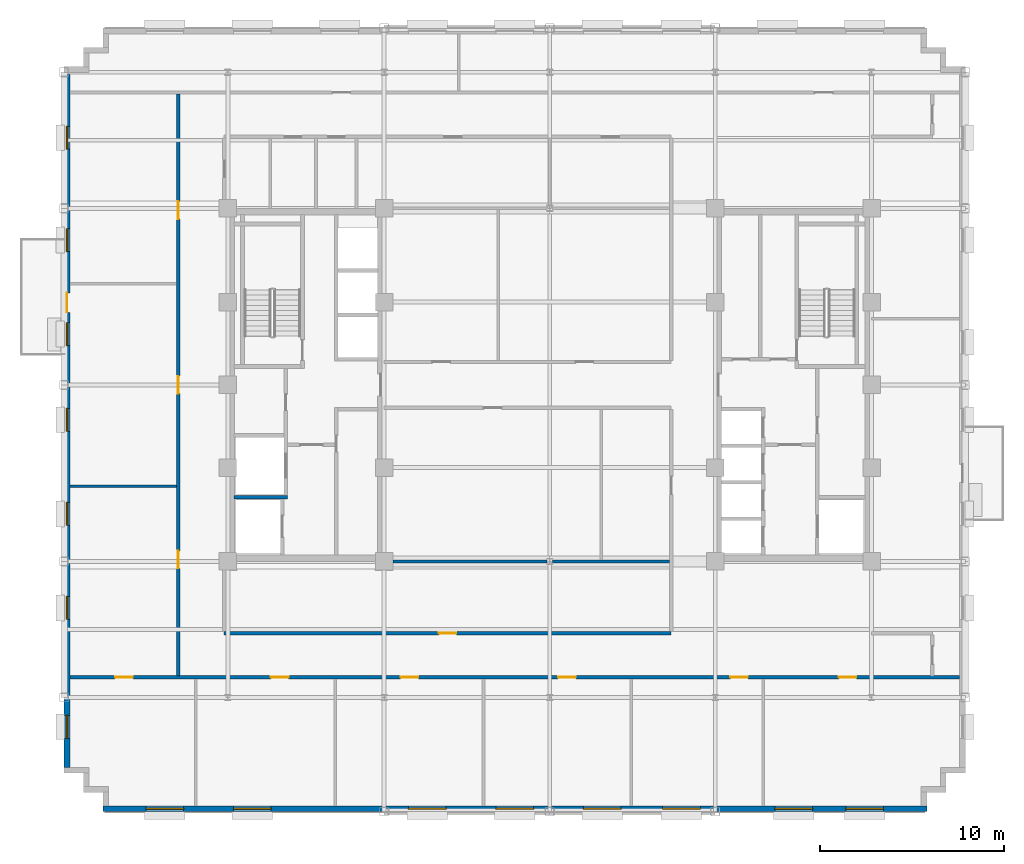
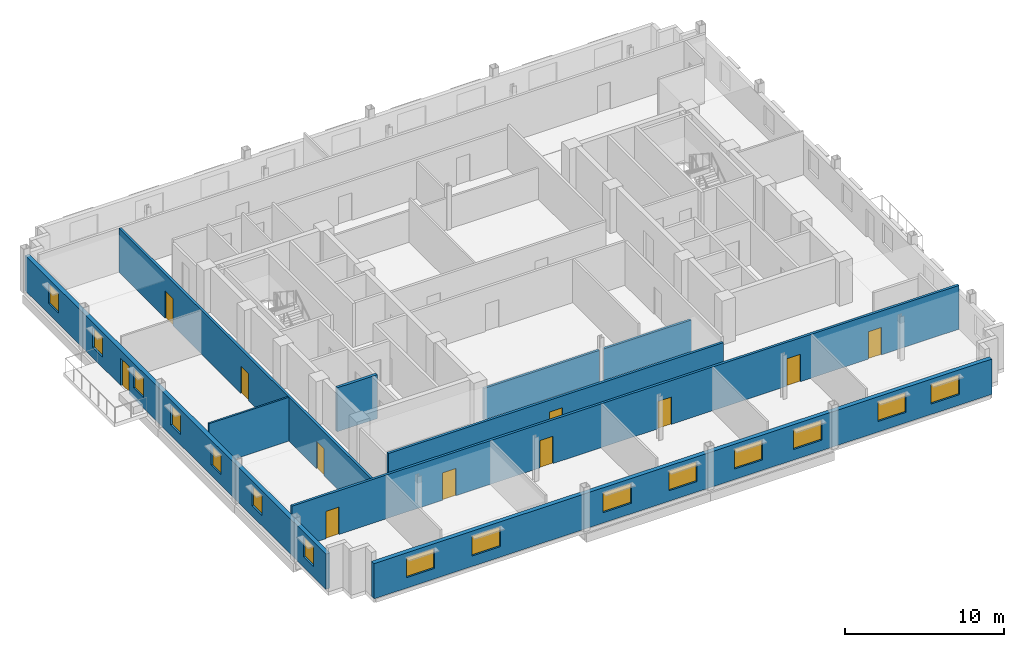
# One storey, part 7 of 15: 15 windows, 11 doors, 9 walls, 26 openings.
"""IFC4 building model written with IfcOpenShell, lengths in metres."""

from ifc_helpers import new_model, si_unit, direction, frame, frame_2d, origin, place, context, subcontext, project, spatial, rectangle, extrude, source, transform, mapped, material, layer, layer_set, type_object, type_shapes, element, fill, save


model = new_model("IFC4")

# Units and contexts
model_context = context("Model", 3, precision=1e-05, world=origin(), true_north=direction((0.0, 1.0)))
body_context = subcontext(model_context, "Body", "Model", "MODEL_VIEW")
ifc_project = project(units=[si_unit("LENGTHUNIT", "METRE"), si_unit("AREAUNIT", "SQUARE_METRE"), si_unit("VOLUMEUNIT", "CUBIC_METRE"), si_unit("PLANEANGLEUNIT", "RADIAN"), si_unit("MASSUNIT", "GRAM", prefix="KILO")], contexts=[model_context])

# Site, building, storey
site_placement = place(None, origin())
site = spatial("IfcSite", under=ifc_project, at=site_placement, CompositionType="ELEMENT")
building_placement = place(site_placement, origin())
building = spatial("IfcBuilding", under=site, at=building_placement, Name="Nuvemarco Arch Tower", CompositionType="ELEMENT")
storey_placement = place(building_placement, frame((0.0, 0.0, 190.89990234375)))
storey = spatial("IfcBuildingStorey", under=building, at=storey_placement, Name="L50", CompositionType="ELEMENT", Elevation=190.89990234375)

# Wall, openings, windows
ifc_material_1 = material(Name="Precast concrete C45/55", Category="concrete")
ifc_layer_1 = layer(ifc_material_1, 0.31005859375, Name="EW-UPP-310")
ifc_layer_set_1 = layer_set([ifc_layer_1], Name="Precast concrete C45/55")
wall_type_1 = type_object("IfcWallType", Name="EW-UPP-310", PredefinedType="STANDARD", material=ifc_layer_set_1)
wall_1_placement = place(storey_placement, frame((-24.300048828125, -23.044921875, 0.0), z_axis=(0.0, 0.0, 1.0), x_axis=(1.0, 0.0, 0.0)))
wall_1 = element("IfcWall", 1, at=wall_1_placement, inside=storey, type_object=wall_type_1, Name="L50 exterior precast facade wall 1", PredefinedType="STANDARD", context=body_context, shape_type="SweptSolid", body=[
    extrude(rectangle(XDim=44.800048828125, YDim=0.31005859375, at=frame_2d((22.39990234375, 0.0))), origin(), (0.0, 0.0, 1.0), 2.705078125),
])
opening_1_placement = place(wall_1_placement, frame((2.352783203125, 0.0, 0.800048828125)))
opening_1 = element("IfcOpeningElement", 2, at=opening_1_placement, cuts=wall_1, Name="Opening WN-12", PredefinedType="OPENING", context=body_context, shape_type="SweptSolid", body=[
    extrude(rectangle(XDim=2.050048828125, YDim=1.52001953125, at=frame_2d((1.02490234375, 0.760009765625))), frame((0.0, 0.1650390625, 0.0), z_axis=(0.0, -1.0, 0.0), x_axis=(1.0, 0.0, 0.0)), (0.0, 0.0, 1.0), 0.330078125),
])
opening_2_placement = place(wall_1_placement, frame((7.1083984375, 0.0, 0.800048828125)))
opening_2 = element("IfcOpeningElement", 3, at=opening_2_placement, cuts=wall_1, Name="Opening WN-12", PredefinedType="OPENING", context=body_context, shape_type="SweptSolid", body=[
    extrude(rectangle(XDim=2.050048828125, YDim=1.52001953125, at=frame_2d((1.02490234375, 0.760009765625))), frame((0.0, 0.1650390625, 0.0), z_axis=(0.0, -1.0, 0.0), x_axis=(1.0, 0.0, 0.0)), (0.0, 0.0, 1.0), 0.330078125),
])
opening_3_placement = place(wall_1_placement, frame((16.619384765625, 0.0, 0.800048828125)))
opening_3 = element("IfcOpeningElement", 4, at=opening_3_placement, cuts=wall_1, Name="Opening WN-12", PredefinedType="OPENING", context=body_context, shape_type="SweptSolid", body=[
    extrude(rectangle(XDim=2.050048828125, YDim=1.52001953125, at=frame_2d((1.02490234375, 0.760009765625))), frame((0.0, 0.1650390625, 0.0), z_axis=(0.0, -1.0, 0.0), x_axis=(1.0, 0.0, 0.0)), (0.0, 0.0, 1.0), 0.330078125),
])
opening_4_placement = place(wall_1_placement, frame((21.375, 0.0, 0.800048828125)))
opening_4 = element("IfcOpeningElement", 5, at=opening_4_placement, cuts=wall_1, Name="Opening WN-12", PredefinedType="OPENING", context=body_context, shape_type="SweptSolid", body=[
    extrude(rectangle(XDim=2.050048828125, YDim=1.52001953125, at=frame_2d((1.02490234375, 0.760009765625))), frame((0.0, 0.1650390625, 0.0), z_axis=(0.0, -1.0, 0.0), x_axis=(1.0, 0.0, 0.0)), (0.0, 0.0, 1.0), 0.330078125),
])
opening_5_placement = place(wall_1_placement, frame((26.130615234375, 0.0, 0.800048828125)))
opening_5 = element("IfcOpeningElement", 6, at=opening_5_placement, cuts=wall_1, Name="Opening WN-12", PredefinedType="OPENING", context=body_context, shape_type="SweptSolid", body=[
    extrude(rectangle(XDim=2.050048828125, YDim=1.52001953125, at=frame_2d((1.02490234375, 0.760009765625))), frame((0.0, 0.1650390625, 0.0), z_axis=(0.0, -1.0, 0.0), x_axis=(1.0, 0.0, 0.0)), (0.0, 0.0, 1.0), 0.330078125),
])
opening_6_placement = place(wall_1_placement, frame((30.43603515625, 0.0, 0.800048828125)))
opening_6 = element("IfcOpeningElement", 7, at=opening_6_placement, cuts=wall_1, Name="Opening WN-12", PredefinedType="OPENING", context=body_context, shape_type="SweptSolid", body=[
    extrude(rectangle(XDim=2.050048828125, YDim=1.52001953125, at=frame_2d((1.02490234375, 0.760009765625))), frame((0.0, 0.1650390625, 0.0), z_axis=(0.0, -1.0, 0.0), x_axis=(1.0, 0.0, 0.0)), (0.0, 0.0, 1.0), 0.330078125),
])
opening_7_placement = place(wall_1_placement, frame((36.541748046875, 0.0, 0.800048828125)))
opening_7 = element("IfcOpeningElement", 8, at=opening_7_placement, cuts=wall_1, Name="Opening WN-12", PredefinedType="OPENING", context=body_context, shape_type="SweptSolid", body=[
    extrude(rectangle(XDim=2.050048828125, YDim=1.52001953125, at=frame_2d((1.02490234375, 0.760009765625))), frame((0.0, 0.1650390625, 0.0), z_axis=(0.0, -1.0, 0.0), x_axis=(1.0, 0.0, 0.0)), (0.0, 0.0, 1.0), 0.330078125),
])
opening_8_placement = place(wall_1_placement, frame((40.397216796875, 0.0, 0.800048828125)))
opening_8 = element("IfcOpeningElement", 9, at=opening_8_placement, cuts=wall_1, Name="Opening WN-12", PredefinedType="OPENING", context=body_context, shape_type="SweptSolid", body=[
    extrude(rectangle(XDim=2.050048828125, YDim=1.52001953125, at=frame_2d((1.02490234375, 0.760009765625))), frame((0.0, 0.1650390625, 0.0), z_axis=(0.0, -1.0, 0.0), x_axis=(1.0, 0.0, 0.0)), (0.0, 0.0, 1.0), 0.330078125),
])
ifc_material_2 = material(Name="Insulated solar-control glass", Category="glass")
window_type_1 = type_object("IfcWindowType", Name="WN-SET-2050x1520", PartitioningType="DOUBLE_PANEL_VERTICAL", PredefinedType="WINDOW", material=ifc_material_2)
shared_shape_1 = source(origin(), body_context, "Body", "SweptSolid", [
    extrude(rectangle(XDim=2.050048828125, YDim=1.52001953125, at=frame_2d((1.02490234375, 0.760009765625))), frame((0.0, 0.030029296875, 0.0), z_axis=(0.0, -1.0, 0.0), x_axis=(1.0, 0.0, 0.0)), (0.0, 0.0, 1.0), 0.06005859375),
])
type_shapes(window_type_1, [shared_shape_1])
window_1_placement = place(opening_1_placement, origin())
window_1 = element("IfcWindow", 10, at=window_1_placement, inside=storey, type_object=window_type_1, Name="L50 punched facade window 1", OverallHeight=1.52001953125, OverallWidth=2.050048828125, PartitioningType="SINGLE_PANEL", PredefinedType="WINDOW", context=body_context, shape_type="MappedRepresentation", body=[
    mapped(shared_shape_1, transform((0.0, 0.0, 0.0), scale=1.0)),
])
fill(opening_1, window_1)
window_2_placement = place(opening_2_placement, origin())
window_2 = element("IfcWindow", 11, at=window_2_placement, inside=storey, type_object=window_type_1, Name="L50 punched facade window 2", OverallHeight=1.52001953125, OverallWidth=2.050048828125, PartitioningType="SINGLE_PANEL", PredefinedType="WINDOW", context=body_context, shape_type="MappedRepresentation", body=[
    mapped(shared_shape_1, transform((0.0, 0.0, 0.0), scale=1.0)),
])
fill(opening_2, window_2)
window_3_placement = place(opening_3_placement, origin())
window_3 = element("IfcWindow", 12, at=window_3_placement, inside=storey, type_object=window_type_1, Name="L50 punched facade window 4", OverallHeight=1.52001953125, OverallWidth=2.050048828125, PartitioningType="SINGLE_PANEL", PredefinedType="WINDOW", context=body_context, shape_type="MappedRepresentation", body=[
    mapped(shared_shape_1, transform((0.0, 0.0, 0.0), scale=1.0)),
])
fill(opening_3, window_3)
window_4_placement = place(opening_4_placement, origin())
window_4 = element("IfcWindow", 13, at=window_4_placement, inside=storey, type_object=window_type_1, Name="L50 punched facade window 5", OverallHeight=1.52001953125, OverallWidth=2.050048828125, PartitioningType="SINGLE_PANEL", PredefinedType="WINDOW", context=body_context, shape_type="MappedRepresentation", body=[
    mapped(shared_shape_1, transform((0.0, 0.0, 0.0), scale=1.0)),
])
fill(opening_4, window_4)
window_5_placement = place(opening_5_placement, origin())
window_5 = element("IfcWindow", 14, at=window_5_placement, inside=storey, type_object=window_type_1, Name="L50 punched facade window 6", OverallHeight=1.52001953125, OverallWidth=2.050048828125, PartitioningType="SINGLE_PANEL", PredefinedType="WINDOW", context=body_context, shape_type="MappedRepresentation", body=[
    mapped(shared_shape_1, transform((0.0, 0.0, 0.0), scale=1.0)),
])
fill(opening_5, window_5)
window_6_placement = place(opening_6_placement, origin())
window_6 = element("IfcWindow", 15, at=window_6_placement, inside=storey, type_object=window_type_1, Name="L50 punched facade window 7", OverallHeight=1.52001953125, OverallWidth=2.050048828125, PartitioningType="SINGLE_PANEL", PredefinedType="WINDOW", context=body_context, shape_type="MappedRepresentation", body=[
    mapped(shared_shape_1, transform((0.0, 0.0, 0.0), scale=1.0)),
])
fill(opening_6, window_6)
window_7_placement = place(opening_7_placement, origin())
window_7 = element("IfcWindow", 16, at=window_7_placement, inside=storey, type_object=window_type_1, Name="L50 punched facade window 8", OverallHeight=1.52001953125, OverallWidth=2.050048828125, PartitioningType="SINGLE_PANEL", PredefinedType="WINDOW", context=body_context, shape_type="MappedRepresentation", body=[
    mapped(shared_shape_1, transform((0.0, 0.0, 0.0), scale=1.0)),
])
fill(opening_7, window_7)
window_8_placement = place(opening_8_placement, origin())
window_8 = element("IfcWindow", 17, at=window_8_placement, inside=storey, type_object=window_type_1, Name="L50 punched facade window 9", OverallHeight=1.52001953125, OverallWidth=2.050048828125, PartitioningType="SINGLE_PANEL", PredefinedType="WINDOW", context=body_context, shape_type="MappedRepresentation", body=[
    mapped(shared_shape_1, transform((0.0, 0.0, 0.0), scale=1.0)),
])
fill(opening_8, window_8)

# Wall, openings, door, windows
wall_2_placement = place(storey_placement, frame((-26.2451171875, -20.7939453125, 0.0), z_axis=(0.0, 0.0, 1.0), x_axis=(0.0, 1.0, 0.0)))
wall_2 = element("IfcWall", 18, at=wall_2_placement, inside=storey, type_object=wall_type_1, Name="L50 exterior precast facade wall 16", PredefinedType="STANDARD", context=body_context, shape_type="SweptSolid", body=[
    extrude(rectangle(XDim=37.787841796875, YDim=0.31005859375, at=frame_2d((18.89404296875, 0.0))), origin(), (0.0, 0.0, 1.0), 2.705078125),
])
opening_9_placement = place(wall_2_placement, frame((24.743896484375, 0.0, 0.0)))
opening_9 = element("IfcOpeningElement", 19, at=opening_9_placement, cuts=wall_2, Name="Opening ED-5", PredefinedType="OPENING", context=body_context, shape_type="SweptSolid", body=[
    extrude(rectangle(XDim=1.050048828125, YDim=2.10009765625, at=frame_2d((0.52490234375, 1.050048828125))), frame((0.0, 0.1650390625, 0.0), z_axis=(0.0, -1.0, 0.0), x_axis=(1.0, 0.0, 0.0)), (0.0, 0.0, 1.0), 0.330078125),
])
opening_10_placement = place(wall_2_placement, frame((1.581298828125, 0.0, 0.800048828125)))
opening_10 = element("IfcOpeningElement", 20, at=opening_10_placement, cuts=wall_2, Name="Opening WN-13", PredefinedType="OPENING", context=body_context, shape_type="SweptSolid", body=[
    extrude(rectangle(XDim=1.25, YDim=1.52001953125, at=frame_2d((0.625, 0.760009765625))), frame((0.0, 0.1650390625, 0.0), z_axis=(0.0, -1.0, 0.0), x_axis=(1.0, 0.0, 0.0)), (0.0, 0.0, 1.0), 0.330078125),
])
opening_11_placement = place(wall_2_placement, frame((8.0439453125, 0.0, 0.800048828125)))
opening_11 = element("IfcOpeningElement", 21, at=opening_11_placement, cuts=wall_2, Name="Opening WN-13", PredefinedType="OPENING", context=body_context, shape_type="SweptSolid", body=[
    extrude(rectangle(XDim=1.25, YDim=1.52001953125, at=frame_2d((0.625, 0.760009765625))), frame((0.0, 0.1650390625, 0.0), z_axis=(0.0, -1.0, 0.0), x_axis=(1.0, 0.0, 0.0)), (0.0, 0.0, 1.0), 0.330078125),
])
opening_12_placement = place(wall_2_placement, frame((13.156494140625, 0.0, 0.800048828125)))
opening_12 = element("IfcOpeningElement", 22, at=opening_12_placement, cuts=wall_2, Name="Opening WN-13", PredefinedType="OPENING", context=body_context, shape_type="SweptSolid", body=[
    extrude(rectangle(XDim=1.25, YDim=1.52001953125, at=frame_2d((0.625, 0.760009765625))), frame((0.0, 0.1650390625, 0.0), z_axis=(0.0, -1.0, 0.0), x_axis=(1.0, 0.0, 0.0)), (0.0, 0.0, 1.0), 0.330078125),
])
opening_13_placement = place(wall_2_placement, frame((18.26904296875, 0.0, 0.800048828125)))
opening_13 = element("IfcOpeningElement", 23, at=opening_13_placement, cuts=wall_2, Name="Opening WN-13", PredefinedType="OPENING", context=body_context, shape_type="SweptSolid", body=[
    extrude(rectangle(XDim=1.25, YDim=1.52001953125, at=frame_2d((0.625, 0.760009765625))), frame((0.0, 0.1650390625, 0.0), z_axis=(0.0, -1.0, 0.0), x_axis=(1.0, 0.0, 0.0)), (0.0, 0.0, 1.0), 0.330078125),
])
opening_14_placement = place(wall_2_placement, frame((22.931640625, 0.0, 0.800048828125)))
opening_14 = element("IfcOpeningElement", 24, at=opening_14_placement, cuts=wall_2, Name="Opening WN-13", PredefinedType="OPENING", context=body_context, shape_type="SweptSolid", body=[
    extrude(rectangle(XDim=1.25, YDim=1.52001953125, at=frame_2d((0.625, 0.760009765625))), frame((0.0, 0.1650390625, 0.0), z_axis=(0.0, -1.0, 0.0), x_axis=(1.0, 0.0, 0.0)), (0.0, 0.0, 1.0), 0.330078125),
])
opening_15_placement = place(wall_2_placement, frame((28.044189453125, 0.0, 0.800048828125)))
opening_15 = element("IfcOpeningElement", 25, at=opening_15_placement, cuts=wall_2, Name="Opening WN-13", PredefinedType="OPENING", context=body_context, shape_type="SweptSolid", body=[
    extrude(rectangle(XDim=1.25, YDim=1.52001953125, at=frame_2d((0.625, 0.760009765625))), frame((0.0, 0.1650390625, 0.0), z_axis=(0.0, -1.0, 0.0), x_axis=(1.0, 0.0, 0.0)), (0.0, 0.0, 1.0), 0.330078125),
])
opening_16_placement = place(wall_2_placement, frame((33.606689453125, 0.0, 0.800048828125)))
opening_16 = element("IfcOpeningElement", 26, at=opening_16_placement, cuts=wall_2, Name="Opening WN-13", PredefinedType="OPENING", context=body_context, shape_type="SweptSolid", body=[
    extrude(rectangle(XDim=1.25, YDim=1.52001953125, at=frame_2d((0.625, 0.760009765625))), frame((0.0, 0.1650390625, 0.0), z_axis=(0.0, -1.0, 0.0), x_axis=(1.0, 0.0, 0.0)), (0.0, 0.0, 1.0), 0.330078125),
])
ifc_material_3 = material(Name="Anodised bronze and laminated glass", Category="glass")
door_type_1 = type_object("IfcDoorType", Name="DR-EXT-TERR", OperationType="NOTDEFINED", PredefinedType="DOOR", material=ifc_material_3)
shared_shape_2 = source(origin(), body_context, "Body", "SweptSolid", [
    extrude(rectangle(XDim=1.050048828125, YDim=2.10009765625, at=frame_2d((0.52490234375, 1.050048828125))), frame((0.0, 0.02490234375, 0.0), z_axis=(0.0, -1.0, 0.0), x_axis=(1.0, 0.0, 0.0)), (0.0, 0.0, 1.0), 0.050048828125),
])
type_shapes(door_type_1, [shared_shape_2])
door_1_placement = place(opening_9_placement, origin())
door_1 = element("IfcDoor", 27, at=door_1_placement, inside=storey, type_object=door_type_1, Name="L50 spiral terrace access door", OperationType="SINGLE_SWING_LEFT", OverallHeight=2.10009765625, OverallWidth=1.050048828125, PredefinedType="DOOR", context=body_context, shape_type="MappedRepresentation", body=[
    mapped(shared_shape_2, transform((0.0, 0.0, 0.0), scale=1.0)),
])
fill(opening_9, door_1)
window_type_2 = type_object("IfcWindowType", Name="WN-SET-1250x1520", PartitioningType="SINGLE_PANEL", PredefinedType="WINDOW", material=ifc_material_2)
shared_shape_3 = source(origin(), body_context, "Body", "SweptSolid", [
    extrude(rectangle(XDim=1.25, YDim=1.52001953125, at=frame_2d((0.625, 0.760009765625))), frame((0.0, 0.030029296875, 0.0), z_axis=(0.0, -1.0, 0.0), x_axis=(1.0, 0.0, 0.0)), (0.0, 0.0, 1.0), 0.06005859375),
])
type_shapes(window_type_2, [shared_shape_3])
window_9_placement = place(opening_10_placement, origin())
window_9 = element("IfcWindow", 28, at=window_9_placement, inside=storey, type_object=window_type_2, Name="L50 punched facade window 1", OverallHeight=1.52001953125, OverallWidth=1.25, PartitioningType="SINGLE_PANEL", PredefinedType="WINDOW", context=body_context, shape_type="MappedRepresentation", body=[
    mapped(shared_shape_3, transform((0.0, 0.0, 0.0), scale=1.0)),
])
fill(opening_10, window_9)
window_10_placement = place(opening_11_placement, origin())
window_10 = element("IfcWindow", 29, at=window_10_placement, inside=storey, type_object=window_type_2, Name="L50 punched facade window 2", OverallHeight=1.52001953125, OverallWidth=1.25, PartitioningType="SINGLE_PANEL", PredefinedType="WINDOW", context=body_context, shape_type="MappedRepresentation", body=[
    mapped(shared_shape_3, transform((0.0, 0.0, 0.0), scale=1.0)),
])
fill(opening_11, window_10)
window_11_placement = place(opening_12_placement, origin())
window_11 = element("IfcWindow", 30, at=window_11_placement, inside=storey, type_object=window_type_2, Name="L50 punched facade window 3", OverallHeight=1.52001953125, OverallWidth=1.25, PartitioningType="SINGLE_PANEL", PredefinedType="WINDOW", context=body_context, shape_type="MappedRepresentation", body=[
    mapped(shared_shape_3, transform((0.0, 0.0, 0.0), scale=1.0)),
])
fill(opening_12, window_11)
window_12_placement = place(opening_13_placement, origin())
window_12 = element("IfcWindow", 31, at=window_12_placement, inside=storey, type_object=window_type_2, Name="L50 punched facade window 4", OverallHeight=1.52001953125, OverallWidth=1.25, PartitioningType="SINGLE_PANEL", PredefinedType="WINDOW", context=body_context, shape_type="MappedRepresentation", body=[
    mapped(shared_shape_3, transform((0.0, 0.0, 0.0), scale=1.0)),
])
fill(opening_13, window_12)
window_13_placement = place(opening_14_placement, origin())
window_13 = element("IfcWindow", 32, at=window_13_placement, inside=storey, type_object=window_type_2, Name="L50 punched facade window 5", OverallHeight=1.52001953125, OverallWidth=1.25, PartitioningType="SINGLE_PANEL", PredefinedType="WINDOW", context=body_context, shape_type="MappedRepresentation", body=[
    mapped(shared_shape_3, transform((0.0, 0.0, 0.0), scale=1.0)),
])
fill(opening_14, window_13)
window_14_placement = place(opening_15_placement, origin())
window_14 = element("IfcWindow", 33, at=window_14_placement, inside=storey, type_object=window_type_2, Name="L50 punched facade window 6", OverallHeight=1.52001953125, OverallWidth=1.25, PartitioningType="SINGLE_PANEL", PredefinedType="WINDOW", context=body_context, shape_type="MappedRepresentation", body=[
    mapped(shared_shape_3, transform((0.0, 0.0, 0.0), scale=1.0)),
])
fill(opening_15, window_14)
window_15_placement = place(opening_16_placement, origin())
window_15 = element("IfcWindow", 34, at=window_15_placement, inside=storey, type_object=window_type_2, Name="L50 punched facade window 7", OverallHeight=1.52001953125, OverallWidth=1.25, PartitioningType="SINGLE_PANEL", PredefinedType="WINDOW", context=body_context, shape_type="MappedRepresentation", body=[
    mapped(shared_shape_3, transform((0.0, 0.0, 0.0), scale=1.0)),
])
fill(opening_16, window_15)

# Wall, openings, doors
ifc_material_4 = material(Name="Fire-rated gypsum drywall partition")
ifc_layer_2 = layer(ifc_material_4, 0.179931640625, Name="WL-CORR-180")
ifc_layer_set_2 = layer_set([ifc_layer_2], Name="Fire-rated gypsum drywall partition")
wall_type_2 = type_object("IfcWallType", Name="WL-CORR-180", PredefinedType="PARTITIONING", material=ifc_layer_set_2)
wall_3_placement = place(storey_placement, frame((-26.090087890625, -15.89990234375, 0.0), z_axis=(0.0, 0.0, 1.0), x_axis=(1.0, 0.0, 0.0)))
wall_3 = element("IfcWall", 35, at=wall_3_placement, inside=storey, type_object=wall_type_2, Name="L50 interior wall IW-L50-001", PredefinedType="PARTITIONING", context=body_context, shape_type="SweptSolid", body=[
    extrude(rectangle(XDim=48.380126953125, YDim=0.179931640625, at=frame_2d((24.18994140625, 0.0))), origin(), (0.0, 0.0, 1.0), 3.360107421875),
])
opening_17_placement = place(wall_3_placement, frame((41.81005859375, 0.0, 0.0)))
opening_17 = element("IfcOpeningElement", 36, at=opening_17_placement, cuts=wall_3, Name="Opening FD-5", PredefinedType="OPENING", context=body_context, shape_type="SweptSolid", body=[
    extrude(rectangle(XDim=0.9599609375, YDim=2.10009765625, at=frame_2d((0.47998046875, 1.050048828125))), frame((0.0, 0.099853515625, 0.0), z_axis=(0.0, -1.0, 0.0), x_axis=(1.0, 0.0, 0.0)), (0.0, 0.0, 1.0), 0.199951171875),
])
opening_18_placement = place(wall_3_placement, frame((17.985107421875, 0.0, 0.0)))
opening_18 = element("IfcOpeningElement", 37, at=opening_18_placement, cuts=wall_3, Name="Opening FD-5", PredefinedType="OPENING", context=body_context, shape_type="SweptSolid", body=[
    extrude(rectangle(XDim=0.9599609375, YDim=2.10009765625, at=frame_2d((0.47998046875, 1.050048828125))), frame((0.0, 0.099853515625, 0.0), z_axis=(0.0, -1.0, 0.0), x_axis=(1.0, 0.0, 0.0)), (0.0, 0.0, 1.0), 0.199951171875),
])
opening_19_placement = place(wall_3_placement, frame((26.550048828125, 0.0, 0.0)))
opening_19 = element("IfcOpeningElement", 38, at=opening_19_placement, cuts=wall_3, Name="Opening FD-5", PredefinedType="OPENING", context=body_context, shape_type="SweptSolid", body=[
    extrude(rectangle(XDim=0.9599609375, YDim=2.10009765625, at=frame_2d((0.47998046875, 1.050048828125))), frame((0.0, 0.099853515625, 0.0), z_axis=(0.0, -1.0, 0.0), x_axis=(1.0, 0.0, 0.0)), (0.0, 0.0, 1.0), 0.199951171875),
])
opening_20_placement = place(wall_3_placement, frame((10.93505859375, 0.0, 0.0)))
opening_20 = element("IfcOpeningElement", 39, at=opening_20_placement, cuts=wall_3, Name="Opening FD-5", PredefinedType="OPENING", context=body_context, shape_type="SweptSolid", body=[
    extrude(rectangle(XDim=0.9599609375, YDim=2.10009765625, at=frame_2d((0.47998046875, 1.050048828125))), frame((0.0, 0.099853515625, 0.0), z_axis=(0.0, -1.0, 0.0), x_axis=(1.0, 0.0, 0.0)), (0.0, 0.0, 1.0), 0.199951171875),
])
opening_21_placement = place(wall_3_placement, frame((35.909912109375, 0.0, 0.0)))
opening_21 = element("IfcOpeningElement", 40, at=opening_21_placement, cuts=wall_3, Name="Opening FD-5", PredefinedType="OPENING", context=body_context, shape_type="SweptSolid", body=[
    extrude(rectangle(XDim=0.9599609375, YDim=2.10009765625, at=frame_2d((0.47998046875, 1.050048828125))), frame((0.0, 0.099853515625, 0.0), z_axis=(0.0, -1.0, 0.0), x_axis=(1.0, 0.0, 0.0)), (0.0, 0.0, 1.0), 0.199951171875),
])
opening_22_placement = place(wall_3_placement, frame((2.465087890625, 0.0, 0.0)))
opening_22 = element("IfcOpeningElement", 41, at=opening_22_placement, cuts=wall_3, Name="Opening FD-5", PredefinedType="OPENING", context=body_context, shape_type="SweptSolid", body=[
    extrude(rectangle(XDim=0.9599609375, YDim=2.10009765625, at=frame_2d((0.47998046875, 1.050048828125))), frame((0.0, 0.099853515625, 0.0), z_axis=(0.0, -1.0, 0.0), x_axis=(1.0, 0.0, 0.0)), (0.0, 0.0, 1.0), 0.199951171875),
])
ifc_material_5 = material(Name="Timber fire door", Category="wood")
door_type_2 = type_object("IfcDoorType", Name="DR-CORR-FD", OperationType="NOTDEFINED", PredefinedType="DOOR", material=ifc_material_5)
shared_shape_4 = source(origin(), body_context, "Body", "SweptSolid", [
    extrude(rectangle(XDim=0.9599609375, YDim=2.10009765625, at=frame_2d((0.47998046875, 1.050048828125))), frame((0.0, 0.02490234375, 0.0), z_axis=(0.0, -1.0, 0.0), x_axis=(1.0, 0.0, 0.0)), (0.0, 0.0, 1.0), 0.050048828125),
])
type_shapes(door_type_2, [shared_shape_4])
door_2_placement = place(opening_17_placement, origin())
door_2 = element("IfcDoor", 42, at=door_2_placement, inside=storey, type_object=door_type_2, Name="L50 door DR-L50-S_6", OperationType="SINGLE_SWING_RIGHT", OverallHeight=2.10009765625, OverallWidth=0.9599609375, PredefinedType="DOOR", context=body_context, shape_type="MappedRepresentation", body=[
    mapped(shared_shape_4, transform((0.0, 0.0, 0.0), scale=1.0)),
])
fill(opening_17, door_2)
door_3_placement = place(opening_18_placement, origin())
door_3 = element("IfcDoor", 43, at=door_3_placement, inside=storey, type_object=door_type_2, Name="L50 door DR-L50-S_3", OperationType="SINGLE_SWING_RIGHT", OverallHeight=2.10009765625, OverallWidth=0.9599609375, PredefinedType="DOOR", context=body_context, shape_type="MappedRepresentation", body=[
    mapped(shared_shape_4, transform((0.0, 0.0, 0.0), scale=1.0)),
])
fill(opening_18, door_3)
door_4_placement = place(opening_19_placement, origin())
door_4 = element("IfcDoor", 44, at=door_4_placement, inside=storey, type_object=door_type_2, Name="L50 door DR-L50-S_4", OperationType="SINGLE_SWING_LEFT", OverallHeight=2.10009765625, OverallWidth=0.9599609375, PredefinedType="DOOR", context=body_context, shape_type="MappedRepresentation", body=[
    mapped(shared_shape_4, transform((0.0, 0.0, 0.0), scale=1.0)),
])
fill(opening_19, door_4)
door_5_placement = place(opening_20_placement, origin())
door_5 = element("IfcDoor", 45, at=door_5_placement, inside=storey, type_object=door_type_2, Name="L50 door DR-L50-S_2", OperationType="SINGLE_SWING_RIGHT", OverallHeight=2.10009765625, OverallWidth=0.9599609375, PredefinedType="DOOR", context=body_context, shape_type="MappedRepresentation", body=[
    mapped(shared_shape_4, transform((0.0, 0.0, 0.0), scale=1.0)),
])
fill(opening_20, door_5)
door_6_placement = place(opening_21_placement, origin())
door_6 = element("IfcDoor", 46, at=door_6_placement, inside=storey, type_object=door_type_2, Name="L50 door DR-L50-S_5", OperationType="SINGLE_SWING_RIGHT", OverallHeight=2.10009765625, OverallWidth=0.9599609375, PredefinedType="DOOR", context=body_context, shape_type="MappedRepresentation", body=[
    mapped(shared_shape_4, transform((0.0, 0.0, 0.0), scale=1.0)),
])
fill(opening_21, door_6)
door_7_placement = place(opening_22_placement, origin())
door_7 = element("IfcDoor", 47, at=door_7_placement, inside=storey, type_object=door_type_2, Name="L50 door DR-L50-S_1", OperationType="SINGLE_SWING_LEFT", OverallHeight=2.10009765625, OverallWidth=0.9599609375, PredefinedType="DOOR", context=body_context, shape_type="MappedRepresentation", body=[
    mapped(shared_shape_4, transform((0.0, 0.0, 0.0), scale=1.0)),
])
fill(opening_22, door_7)

# Wall, opening, door
wall_4_placement = place(storey_placement, frame((-17.699951171875, -13.5, 0.0), z_axis=(0.0, 0.0, 1.0), x_axis=(1.0, 0.0, 0.0)))
wall_4 = element("IfcWall", 48, at=wall_4_placement, inside=storey, type_object=wall_type_2, Name="L50 interior wall IW-L50-002", PredefinedType="PARTITIONING", context=body_context, shape_type="SweptSolid", body=[
    extrude(rectangle(XDim=24.300048828125, YDim=0.179931640625, at=frame_2d((12.14990234375, 0.0))), origin(), (0.0, 0.0, 1.0), 3.008056640625),
])
opening_23_placement = place(wall_4_placement, frame((11.669921875, 0.0, 0.0)))
opening_23 = element("IfcOpeningElement", 49, at=opening_23_placement, cuts=wall_4, Name="Opening FD-5", PredefinedType="OPENING", context=body_context, shape_type="SweptSolid", body=[
    extrude(rectangle(XDim=0.9599609375, YDim=2.10009765625, at=frame_2d((0.47998046875, 1.050048828125))), frame((0.0, 0.099853515625, 0.0), z_axis=(0.0, -1.0, 0.0), x_axis=(1.0, 0.0, 0.0)), (0.0, 0.0, 1.0), 0.199951171875),
])
door_8_placement = place(opening_23_placement, origin())
door_8 = element("IfcDoor", 50, at=door_8_placement, inside=storey, type_object=door_type_2, Name="L50 door DR-L50-IN_S1", OperationType="SINGLE_SWING_LEFT", OverallHeight=2.10009765625, OverallWidth=0.9599609375, PredefinedType="DOOR", context=body_context, shape_type="MappedRepresentation", body=[
    mapped(shared_shape_4, transform((0.0, 0.0, 0.0), scale=1.0)),
])
fill(opening_23, door_8)

# Wall, openings, doors
wall_5_placement = place(storey_placement, frame((-20.199951171875, -15.81396484375, 0.0), z_axis=(0.0, 0.0, 1.0), x_axis=(0.0, 1.0, 0.0)))
wall_5 = element("IfcWall", 51, at=wall_5_placement, inside=storey, type_object=wall_type_2, Name="L50 interior wall IW-L50-016", PredefinedType="PARTITIONING", context=body_context, shape_type="SweptSolid", body=[
    extrude(rectangle(XDim=31.6279296875, YDim=0.179931640625, at=frame_2d((15.81396484375, 0.0))), origin(), (0.0, 0.0, 1.0), 3.360107421875),
])
opening_24_placement = place(wall_5_placement, frame((15.333984375, 0.0, 0.0)))
opening_24 = element("IfcOpeningElement", 52, at=opening_24_placement, cuts=wall_5, Name="Opening FD-5", PredefinedType="OPENING", context=body_context, shape_type="SweptSolid", body=[
    extrude(rectangle(XDim=0.9599609375, YDim=2.10009765625, at=frame_2d((0.47998046875, 1.050048828125))), frame((0.0, 0.099853515625, 0.0), z_axis=(0.0, -1.0, 0.0), x_axis=(1.0, 0.0, 0.0)), (0.0, 0.0, 1.0), 0.199951171875),
])
opening_25_placement = place(wall_5_placement, frame((5.833984375, 0.0, 0.0)))
opening_25 = element("IfcOpeningElement", 53, at=opening_25_placement, cuts=wall_5, Name="Opening FD-5", PredefinedType="OPENING", context=body_context, shape_type="SweptSolid", body=[
    extrude(rectangle(XDim=0.9599609375, YDim=2.10009765625, at=frame_2d((0.47998046875, 1.050048828125))), frame((0.0, 0.099853515625, 0.0), z_axis=(0.0, -1.0, 0.0), x_axis=(1.0, 0.0, 0.0)), (0.0, 0.0, 1.0), 0.199951171875),
])
opening_26_placement = place(wall_5_placement, frame((24.833984375, 0.0, 0.0)))
opening_26 = element("IfcOpeningElement", 54, at=opening_26_placement, cuts=wall_5, Name="Opening FD-5", PredefinedType="OPENING", context=body_context, shape_type="SweptSolid", body=[
    extrude(rectangle(XDim=0.9599609375, YDim=2.10009765625, at=frame_2d((0.47998046875, 1.050048828125))), frame((0.0, 0.099853515625, 0.0), z_axis=(0.0, -1.0, 0.0), x_axis=(1.0, 0.0, 0.0)), (0.0, 0.0, 1.0), 0.199951171875),
])
door_9_placement = place(opening_24_placement, origin())
door_9 = element("IfcDoor", 55, at=door_9_placement, inside=storey, type_object=door_type_2, Name="L50 door DR-L50-W_2", OperationType="SINGLE_SWING_LEFT", OverallHeight=2.10009765625, OverallWidth=0.9599609375, PredefinedType="DOOR", context=body_context, shape_type="MappedRepresentation", body=[
    mapped(shared_shape_4, transform((0.0, 0.0, 0.0), scale=1.0)),
])
fill(opening_24, door_9)
door_10_placement = place(opening_25_placement, origin())
door_10 = element("IfcDoor", 56, at=door_10_placement, inside=storey, type_object=door_type_2, Name="L50 door DR-L50-W_1", OperationType="SINGLE_SWING_RIGHT", OverallHeight=2.10009765625, OverallWidth=0.9599609375, PredefinedType="DOOR", context=body_context, shape_type="MappedRepresentation", body=[
    mapped(shared_shape_4, transform((0.0, 0.0, 0.0), scale=1.0)),
])
fill(opening_25, door_10)
door_11_placement = place(opening_26_placement, origin())
door_11 = element("IfcDoor", 57, at=door_11_placement, inside=storey, type_object=door_type_2, Name="L50 door DR-L50-W_3", OperationType="SINGLE_SWING_LEFT", OverallHeight=2.10009765625, OverallWidth=0.9599609375, PredefinedType="DOOR", context=body_context, shape_type="MappedRepresentation", body=[
    mapped(shared_shape_4, transform((0.0, 0.0, 0.0), scale=1.0)),
])
fill(opening_26, door_11)

# Walls
ifc_material_6 = material(Name="Glazed acoustic office partition")
ifc_layer_3 = layer(ifc_material_6, 0.1298828125, Name="WL-EXEC-130")
ifc_layer_set_3 = layer_set([ifc_layer_3], Name="Glazed acoustic office partition")
wall_type_3 = type_object("IfcWallType", Name="WL-EXEC-130", PredefinedType="PARTITIONING", material=ifc_layer_set_3)
wall_6_placement = place(storey_placement, frame((-26.090087890625, -5.5, 0.0), z_axis=(0.0, 0.0, 1.0), x_axis=(1.0, 0.0, 0.0)))
element("IfcWall", 58, at=wall_6_placement, inside=storey, type_object=wall_type_3, Name="L50 interior wall IW-L50-006", PredefinedType="PARTITIONING", context=body_context, shape_type="SweptSolid", body=[
    extrude(rectangle(XDim=5.80419921875, YDim=0.1298828125, at=frame_2d((2.902099609375, 0.0))), origin(), (0.0, 0.0, 1.0), 3.360107421875),
])
ifc_material_7 = material(Name="Concrete C50/60", Category="concrete")
ifc_layer_4 = layer(ifc_material_7, 0.199951171875, Name="WL-SHAFT-220")
ifc_layer_set_4 = layer_set([ifc_layer_4], Name="Concrete C50/60")
wall_type_4 = type_object("IfcWallType", Name="WL-SHAFT-220", PredefinedType="SHEAR", material=ifc_layer_set_4)
wall_7_placement = place(storey_placement, frame((-17.155029296875, -6.10009765625, 0.0), z_axis=(0.0, 0.0, 1.0), x_axis=(1.0, 0.0, 0.0)))
element("IfcWall", 59, at=wall_7_placement, inside=storey, type_object=wall_type_4, Name="L50 structural shaft wall SW-L50-W-SH1", PredefinedType="SHEAR", context=body_context, shape_type="SweptSolid", body=[
    extrude(rectangle(XDim=2.905029296875, YDim=0.199951171875, at=frame_2d((1.45263671875, 0.0))), origin(), (0.0, 0.0, 1.0), 3.3701171875),
])
ifc_material_8 = material(Name="Acoustic gypsum drywall partition")
ifc_layer_5 = layer(ifc_material_8, 0.159912109375, Name="WL-TENANT-160")
ifc_layer_set_5 = layer_set([ifc_layer_5], Name="Acoustic gypsum drywall partition")
wall_type_5 = type_object("IfcWallType", Name="WL-TENANT-160", PredefinedType="PARTITIONING", material=ifc_layer_set_5)
wall_8_placement = place(storey_placement, frame((-8.529052734375, -9.60009765625, 0.0), z_axis=(0.0, 0.0, 1.0), x_axis=(1.0, 0.0, 0.0)))
element("IfcWall", 60, at=wall_8_placement, inside=storey, type_object=wall_type_5, Name="L50 interior wall IW-L50-004", PredefinedType="PARTITIONING", context=body_context, shape_type="SweptSolid", body=[
    extrude(rectangle(XDim=8.378173828125, YDim=0.159912109375, at=frame_2d((4.18896484375, 0.0))), origin(), (0.0, 0.0, 1.0), 2.405029296875),
])
wall_9_placement = place(storey_placement, frame((0.15087890625, -9.60009765625, 0.0), z_axis=(0.0, 0.0, 1.0), x_axis=(1.0, 0.0, 0.0)))
element("IfcWall", 61, at=wall_9_placement, inside=storey, type_object=wall_type_5, Name="L50 interior wall IW-L50-005", PredefinedType="PARTITIONING", context=body_context, shape_type="SweptSolid", body=[
    extrude(rectangle(XDim=6.363037109375, YDim=0.159912109375, at=frame_2d((3.181640625, 0.0))), origin(), (0.0, 0.0, 1.0), 2.405029296875),
])

save(model, "model.ifc")
